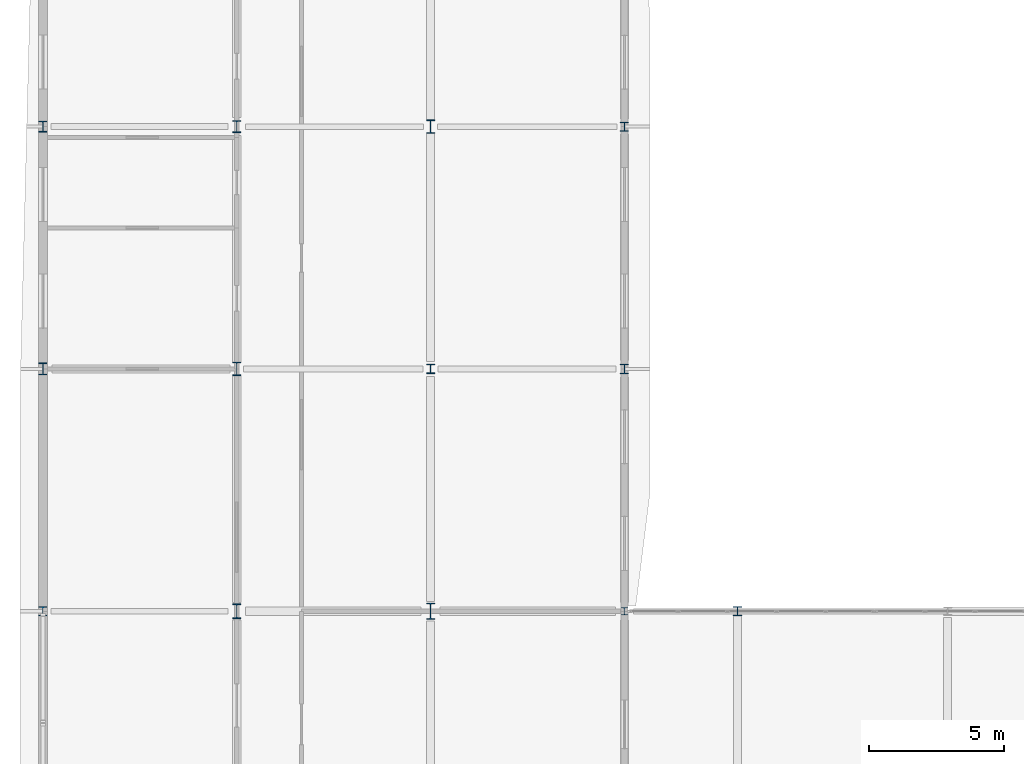
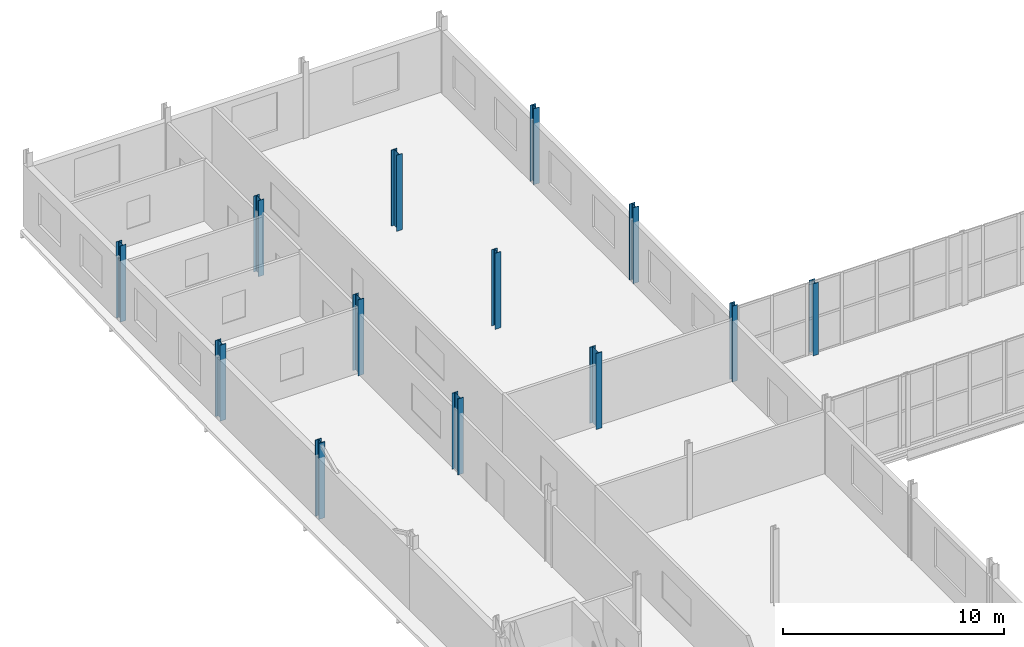
# One storey, part 16 of 138: 13 columns.
"""IFC4 building model written with IfcOpenShell, lengths in metres."""

from ifc_helpers import new_model, si_unit, direction, frame, origin, origin_2d, place, context, subcontext, project, spatial, i_section, extrude, material, material_profile, profile_set, type_object, element, save


model = new_model("IFC4")

# Units and contexts
model_context = context("Model", 3, precision=1e-05, world=origin(), true_north=direction((0.0, 1.0)))
body_context = subcontext(model_context, "Body", "Model", "MODEL_VIEW")
ifc_project = project(units=[si_unit("LENGTHUNIT", "METRE"), si_unit("AREAUNIT", "SQUARE_METRE"), si_unit("VOLUMEUNIT", "CUBIC_METRE"), si_unit("PLANEANGLEUNIT", "RADIAN"), si_unit("MASSUNIT", "GRAM", prefix="KILO")], contexts=[model_context])

# Site, building, storey
site_placement = place(None, origin())
site = spatial("IfcSite", under=ifc_project, at=site_placement, CompositionType="ELEMENT")
building_placement = place(site_placement, origin())
building = spatial("IfcBuilding", under=site, at=building_placement, Name="Vinh Khe Railworks Police Headquarters", CompositionType="ELEMENT")
storey_placement = place(building_placement, frame((0.0, 0.0, 9.0)))
storey = spatial("IfcBuildingStorey", under=building, at=storey_placement, Name="L02", CompositionType="ELEMENT", Elevation=9.0)

# Columns
ifc_material = material(Name="Steel S355JR", Category="steel")
ifc_material_profile_1 = material_profile(ifc_material, i_section(OverallWidth=0.300048828125, OverallDepth=0.35009765625, WebThickness=0.010009765625, FlangeThickness=0.017578125, FilletRadius=0.027099609375, at=origin_2d()), Name="HEA 360")
ifc_profile_set_1 = profile_set([ifc_material_profile_1], Name="Steel S355JR")
column_type_1 = type_object("IfcColumnType", Name="Steel Column HEA 360", PredefinedType="COLUMN", material=ifc_profile_set_1)
column_1_placement = place(storey_placement, frame((26.39990234375, 104.39990234375, 0.0), z_axis=(0.0, 0.0, 1.0), x_axis=(1.0, 0.0, 0.0)))
element("IfcColumn", 1, at=column_1_placement, inside=storey, type_object=column_type_1, Name="Column COL-L02-SC-16-0769", PredefinedType="COLUMN", context=body_context, shape_type="SweptSolid", body=[
    extrude(i_section(OverallWidth=0.300048828125, OverallDepth=0.35009765625, WebThickness=0.010009765625, FlangeThickness=0.017578125, FilletRadius=0.027099609375, at=origin_2d()), origin(), (0.0, 0.0, 1.0), 3.97998046875),
])
ifc_material_profile_2 = material_profile(ifc_material, i_section(OverallWidth=0.300048828125, OverallDepth=0.340087890625, WebThickness=0.011962890625, FlangeThickness=0.021484375, FilletRadius=0.027099609375, at=origin_2d()), Name="HEB 340")
ifc_profile_set_2 = profile_set([ifc_material_profile_2], Name="Steel S355JR")
column_type_2 = type_object("IfcColumnType", Name="Steel Column HEB 340", PredefinedType="COLUMN", material=ifc_profile_set_2)
for number, where, z_axis, x_axis, name in (
    (2, (15.0, 113.39990234375, 0.0), (0.0, 0.0, 1.0), (1.0, 0.0, 0.0), "Column COL-L02-SC-10-0484"),
    (3, (22.199951171875, 122.39990234375, 0.0), (0.0, 0.0, 1.0), (1.0, 0.0, 0.0), "Column COL-L02-SC-10-0644"),
):
    element("IfcColumn", number, at=place(storey_placement, frame(where, z_axis=z_axis, x_axis=x_axis)), inside=storey, type_object=column_type_2, Name=name, PredefinedType="COLUMN", context=body_context, shape_type="SweptSolid", body=[
        extrude(i_section(OverallWidth=0.300048828125, OverallDepth=0.340087890625, WebThickness=0.011962890625, FlangeThickness=0.021484375, FilletRadius=0.027099609375, at=origin_2d()), origin(), (0.0, 0.0, 1.0), 4.199951171875),
    ])
ifc_material_profile_3 = material_profile(ifc_material, i_section(OverallWidth=0.300048828125, OverallDepth=0.360107421875, WebThickness=0.012451171875, FlangeThickness=0.0224609375, FilletRadius=0.027099609375, at=origin_2d()), Name="HEB 360")
ifc_profile_set_3 = profile_set([ifc_material_profile_3], Name="Steel S355JR")
column_type_3 = type_object("IfcColumnType", Name="Steel Column HEB 360", PredefinedType="COLUMN", material=ifc_profile_set_3)
column_2_placement = place(storey_placement, frame((22.199951171875, 113.39990234375, 0.0), z_axis=(0.0, 0.0, 1.0), x_axis=(1.0, 0.0, 0.0)))
element("IfcColumn", 4, at=column_2_placement, inside=storey, type_object=column_type_3, Name="Column COL-L02-SC-09-0637", PredefinedType="COLUMN", context=body_context, shape_type="SweptSolid", body=[
    extrude(i_section(OverallWidth=0.300048828125, OverallDepth=0.360107421875, WebThickness=0.012451171875, FlangeThickness=0.0224609375, FilletRadius=0.027099609375, at=origin_2d()), origin(), (0.0, 0.0, 1.0), 4.199951171875),
])
ifc_material_profile_4 = material_profile(ifc_material, i_section(OverallWidth=0.300048828125, OverallDepth=0.39990234375, WebThickness=0.013427734375, FlangeThickness=0.02392578125, FilletRadius=0.027099609375, at=origin_2d()), Name="HEB 400")
ifc_profile_set_4 = profile_set([ifc_material_profile_4], Name="Steel S355JR")
column_type_4 = type_object("IfcColumnType", Name="Steel Column HEB 400", PredefinedType="COLUMN", material=ifc_profile_set_4)
column_3_placement = place(storey_placement, frame((0.60009765625, 122.39990234375, 0.0), z_axis=(0.0, 0.0, 1.0), x_axis=(1.0, 0.0, 0.0)))
element("IfcColumn", 5, at=column_3_placement, inside=storey, type_object=column_type_4, Name="Column COL-L02-SC-08-0157", PredefinedType="COLUMN", context=body_context, shape_type="SweptSolid", body=[
    extrude(i_section(OverallWidth=0.300048828125, OverallDepth=0.39990234375, WebThickness=0.013427734375, FlangeThickness=0.02392578125, FilletRadius=0.027099609375, at=origin_2d()), origin(), (0.0, 0.0, 1.0), 4.199951171875),
])
ifc_material_profile_5 = material_profile(ifc_material, i_section(OverallWidth=0.300048828125, OverallDepth=0.449951171875, WebThickness=0.013916015625, FlangeThickness=0.02587890625, FilletRadius=0.027099609375, at=origin_2d()), Name="HEB 450")
ifc_profile_set_5 = profile_set([ifc_material_profile_5], Name="Steel S355JR")
column_type_5 = type_object("IfcColumnType", Name="Steel Column HEB 450", PredefinedType="COLUMN", material=ifc_profile_set_5)
for number, where, z_axis, x_axis, name in (
    (6, (0.60009765625, 113.39990234375, 0.0), (0.0, 0.0, 1.0), (1.0, 0.0, 0.0), "Column COL-L02-SC-07-0150"),
    (7, (7.800048828125, 122.39990234375, 0.0), (0.0, 0.0, 1.0), (1.0, 0.0, 0.0), "Column COL-L02-SC-07-0324"),
):
    element("IfcColumn", number, at=place(storey_placement, frame(where, z_axis=z_axis, x_axis=x_axis)), inside=storey, type_object=column_type_5, Name=name, PredefinedType="COLUMN", context=body_context, shape_type="SweptSolid", body=[
        extrude(i_section(OverallWidth=0.300048828125, OverallDepth=0.449951171875, WebThickness=0.013916015625, FlangeThickness=0.02587890625, FilletRadius=0.027099609375, at=origin_2d()), origin(), (0.0, 0.0, 1.0), 4.199951171875),
    ])
ifc_material_profile_6 = material_profile(ifc_material, i_section(OverallWidth=0.300048828125, OverallDepth=0.5, WebThickness=0.014404296875, FlangeThickness=0.028076171875, FilletRadius=0.027099609375, at=origin_2d()), Name="HEB 500")
ifc_profile_set_6 = profile_set([ifc_material_profile_6], Name="Steel S355JR")
column_type_6 = type_object("IfcColumnType", Name="Steel Column HEB 500", PredefinedType="COLUMN", material=ifc_profile_set_6)
for number, where, z_axis, x_axis, name in (
    (8, (7.800048828125, 113.39990234375, 0.0), (0.0, 0.0, 1.0), (1.0, 0.0, 0.0), "Column COL-L02-SC-06-0317"),
    (9, (15.0, 122.39990234375, 0.0), (0.0, 0.0, 1.0), (1.0, 0.0, 0.0), "Column COL-L02-SC-06-0491"),
):
    element("IfcColumn", number, at=place(storey_placement, frame(where, z_axis=z_axis, x_axis=x_axis)), inside=storey, type_object=column_type_6, Name=name, PredefinedType="COLUMN", context=body_context, shape_type="SweptSolid", body=[
        extrude(i_section(OverallWidth=0.300048828125, OverallDepth=0.5, WebThickness=0.014404296875, FlangeThickness=0.028076171875, FilletRadius=0.027099609375, at=origin_2d()), origin(), (0.0, 0.0, 1.0), 4.199951171875),
    ])
ifc_material_profile_7 = material_profile(ifc_material, i_section(OverallWidth=0.300048828125, OverallDepth=0.550048828125, WebThickness=0.014892578125, FlangeThickness=0.029052734375, FilletRadius=0.027099609375, at=origin_2d()), Name="HEB 550")
ifc_profile_set_7 = profile_set([ifc_material_profile_7], Name="Steel S355JR")
column_type_7 = type_object("IfcColumnType", Name="Steel Column HEB 550", PredefinedType="COLUMN", material=ifc_profile_set_7)
column_4_placement = place(storey_placement, frame((7.800048828125, 104.39990234375, 0.0), z_axis=(0.0, 0.0, 1.0), x_axis=(1.0, 0.0, 0.0)))
element("IfcColumn", 10, at=column_4_placement, inside=storey, type_object=column_type_7, Name="Column COL-L02-SC-05-0307", PredefinedType="COLUMN", context=body_context, shape_type="SweptSolid", body=[
    extrude(i_section(OverallWidth=0.300048828125, OverallDepth=0.550048828125, WebThickness=0.014892578125, FlangeThickness=0.029052734375, FilletRadius=0.027099609375, at=origin_2d()), origin(), (0.0, 0.0, 1.0), 4.199951171875),
])
ifc_material_profile_8 = material_profile(ifc_material, i_section(OverallWidth=0.300048828125, OverallDepth=0.60009765625, WebThickness=0.015380859375, FlangeThickness=0.030029296875, FilletRadius=0.027099609375, at=origin_2d()), Name="HEB 600")
ifc_profile_set_8 = profile_set([ifc_material_profile_8], Name="Steel S355JR")
column_type_8 = type_object("IfcColumnType", Name="Steel Column HEB 600", PredefinedType="COLUMN", material=ifc_profile_set_8)
column_5_placement = place(storey_placement, frame((15.0, 104.39990234375, 0.0), z_axis=(0.0, 0.0, 1.0), x_axis=(1.0, 0.0, 0.0)))
element("IfcColumn", 11, at=column_5_placement, inside=storey, type_object=column_type_8, Name="Column COL-L02-SC-04-0474", PredefinedType="COLUMN", context=body_context, shape_type="SweptSolid", body=[
    extrude(i_section(OverallWidth=0.300048828125, OverallDepth=0.60009765625, WebThickness=0.015380859375, FlangeThickness=0.030029296875, FilletRadius=0.027099609375, at=origin_2d()), origin(), (0.0, 0.0, 1.0), 4.199951171875),
])
ifc_material_profile_9 = material_profile(ifc_material, i_section(OverallWidth=0.26806640625, OverallDepth=0.2900390625, WebThickness=0.01806640625, FlangeThickness=0.032470703125, FilletRadius=0.02392578125, at=origin_2d()), Name="HEM 260")
ifc_profile_set_9 = profile_set([ifc_material_profile_9], Name="Steel S355JR")
column_type_9 = type_object("IfcColumnType", Name="Steel Column HEM 260", PredefinedType="COLUMN", material=ifc_profile_set_9)
column_6_placement = place(storey_placement, frame((22.199951171875, 104.39990234375, 0.0), z_axis=(0.0, 0.0, 1.0), x_axis=(1.0, 0.0, 0.0)))
element("IfcColumn", 12, at=column_6_placement, inside=storey, type_object=column_type_9, Name="Column COL-L02-SC-03-0628", PredefinedType="COLUMN", context=body_context, shape_type="SweptSolid", body=[
    extrude(i_section(OverallWidth=0.26806640625, OverallDepth=0.2900390625, WebThickness=0.01806640625, FlangeThickness=0.032470703125, FilletRadius=0.02392578125, at=origin_2d()), origin(), (0.0, 0.0, 1.0), 4.199951171875),
])
ifc_material_profile_10 = material_profile(ifc_material, i_section(OverallWidth=0.31005859375, OverallDepth=0.340087890625, WebThickness=0.02099609375, FlangeThickness=0.0390625, FilletRadius=0.027099609375, at=origin_2d()), Name="HEM 300")
ifc_profile_set_10 = profile_set([ifc_material_profile_10], Name="Steel S355JR")
column_type_10 = type_object("IfcColumnType", Name="Steel Column HEM 300", PredefinedType="COLUMN", material=ifc_profile_set_10)
column_7_placement = place(storey_placement, frame((0.60009765625, 104.39990234375, 0.0), z_axis=(0.0, 0.0, 1.0), x_axis=(1.0, 0.0, 0.0)))
element("IfcColumn", 13, at=column_7_placement, inside=storey, type_object=column_type_10, Name="Column COL-L02-SC-01-0140", PredefinedType="COLUMN", context=body_context, shape_type="SweptSolid", body=[
    extrude(i_section(OverallWidth=0.31005859375, OverallDepth=0.340087890625, WebThickness=0.02099609375, FlangeThickness=0.0390625, FilletRadius=0.027099609375, at=origin_2d()), origin(), (0.0, 0.0, 1.0), 4.199951171875),
])

save(model, "model.ifc")
